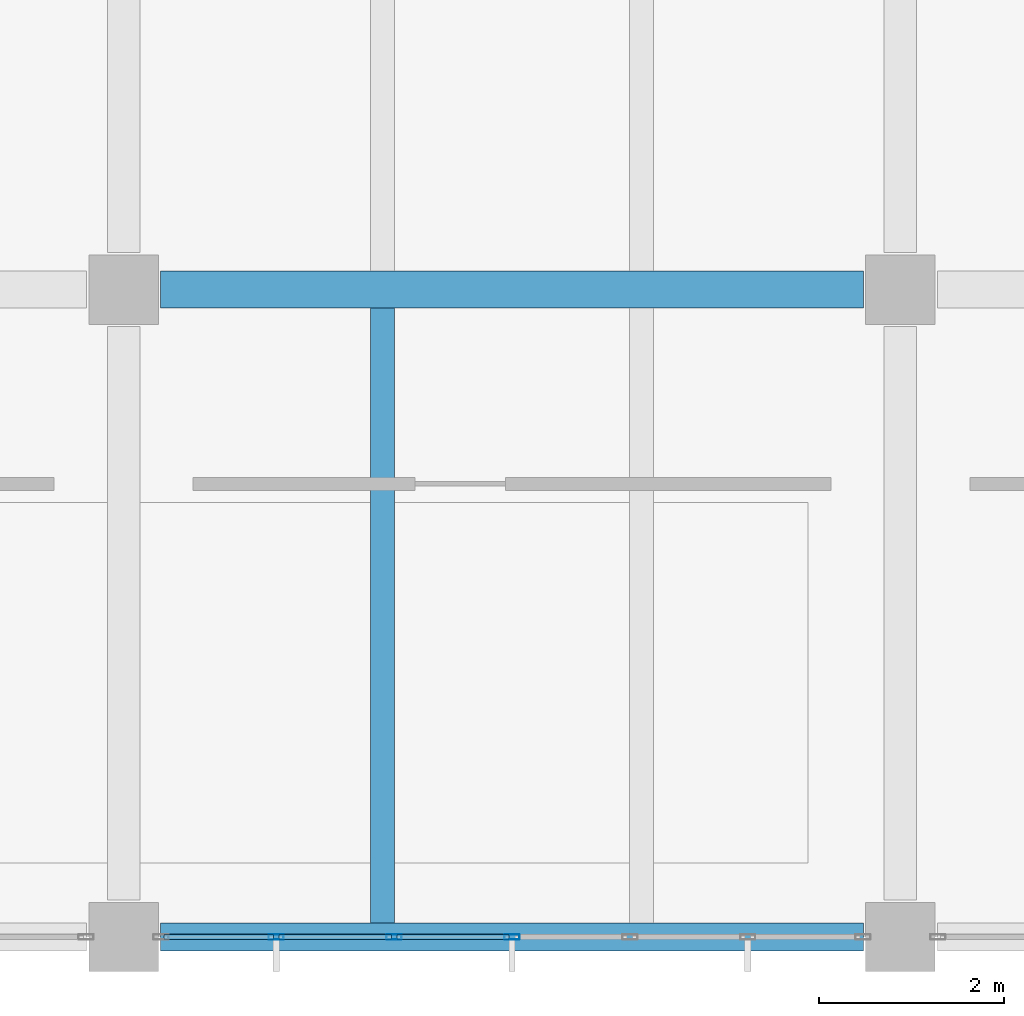
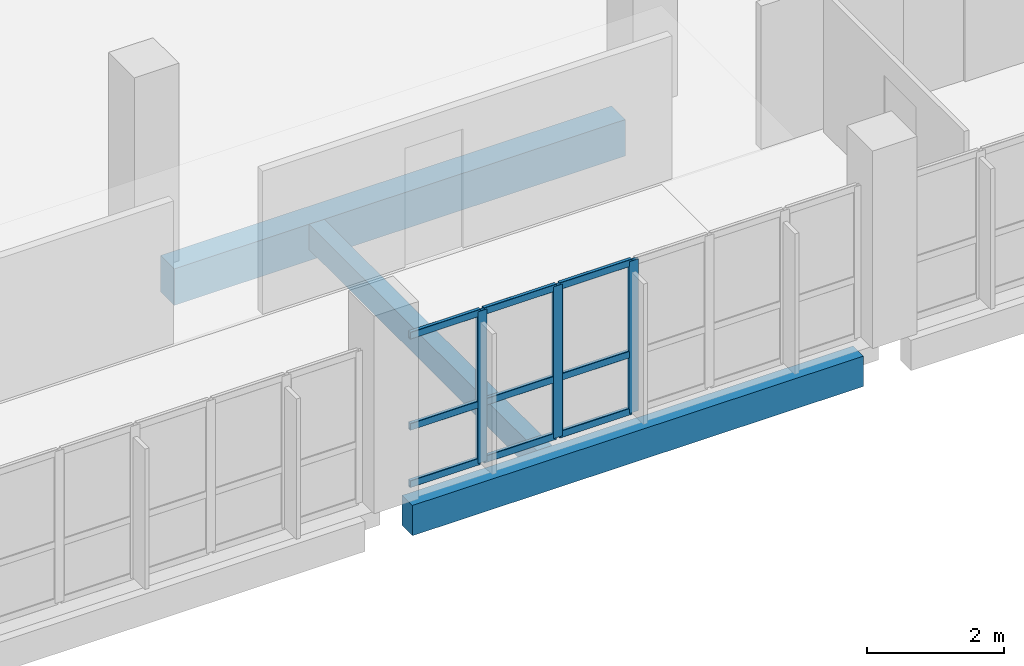
# One storey, part 16 of 95: 12 members, 3 beams, 1 element without a shape of its own.
"""IFC4 building model written with IfcOpenShell, lengths in metres."""

from ifc_helpers import new_model, si_unit, direction, frame, origin, origin_2d, place, context, subcontext, project, spatial, rectangle, hollow_rectangle, extrude, material, layer, layer_set, material_profile, profile_set, type_object, element, aggregate, save


model = new_model("IFC4")

# Units and contexts
model_context = context("Model", 3, precision=1e-05, world=origin(), true_north=direction((0.0, 1.0)))
body_context = subcontext(model_context, "Body", "Model", "MODEL_VIEW")
ifc_project = project(units=[si_unit("LENGTHUNIT", "METRE"), si_unit("AREAUNIT", "SQUARE_METRE"), si_unit("VOLUMEUNIT", "CUBIC_METRE"), si_unit("PLANEANGLEUNIT", "RADIAN"), si_unit("MASSUNIT", "GRAM", prefix="KILO"), si_unit("THERMODYNAMICTEMPERATUREUNIT", "KELVIN"), si_unit("POWERUNIT", "WATT")], contexts=[model_context])

# Site, building, storey
site_placement = place(None, origin())
site = spatial("IfcSite", under=ifc_project, at=site_placement, CompositionType="ELEMENT")
building_placement = place(site_placement, origin())
building = spatial("IfcBuilding", under=site, at=building_placement, Name="Mavoryth Pier Ferry Terminal", CompositionType="ELEMENT")
storey_placement = place(building_placement, frame((0.0, 0.0, 9.60009765625)))
storey = spatial("IfcBuildingStorey", under=building, at=storey_placement, Name="L02", CompositionType="ELEMENT", Elevation=9.60009765625)

# Beams
ifc_material_1 = material(Name="Concrete C35/45", Category="concrete")
ifc_material_profile_1 = material_profile(ifc_material_1, rectangle(XDim=0.39990234375, YDim=0.64990234375, at=origin_2d()), Name="RC 400x650", Category="concrete")
ifc_profile_set_1 = profile_set([ifc_material_profile_1], Name="Concrete C35/45 - RC 400x650")
beam_type_1 = type_object("IfcBeamType", Name="Girder-RC-400x650", PredefinedType="BEAM", material=ifc_profile_set_1)
beam_1_placement = place(storey_placement, frame((76.0, 7.0, -0.585205078125), z_axis=(1.0, 0.0, 0.0), x_axis=(0.0, 1.0, 0.0)))
element("IfcBeam", 1, at=beam_1_placement, inside=storey, type_object=beam_type_1, Name="Beam B02-BG05-0961", PredefinedType="BEAM", context=body_context, shape_type="SweptSolid", body=[
    extrude(rectangle(XDim=0.39990234375, YDim=0.64990234375, at=origin_2d()), origin(), (0.0, 0.0, 1.0), 7.60009765625),
])
ifc_material_profile_2 = material_profile(ifc_material_1, rectangle(XDim=0.260009765625, YDim=0.449951171875, at=origin_2d()), Name="RC 260x450", Category="concrete")
ifc_profile_set_2 = profile_set([ifc_material_profile_2], Name="Concrete C35/45 - RC 260x450")
beam_type_2 = type_object("IfcBeamType", Name="Joist-RC-260x450", PredefinedType="JOIST", material=ifc_profile_set_2)
beam_2_placement = place(storey_placement, frame((78.39990234375, 0.14990234375, -0.485107421875), z_axis=(0.0, 1.0, 0.0), x_axis=(-1.0, 0.0, 0.0)))
element("IfcBeam", 2, at=beam_2_placement, inside=storey, type_object=beam_type_2, Name="Beam B02-BJ03-1016", PredefinedType="JOIST", context=body_context, shape_type="SweptSolid", body=[
    extrude(rectangle(XDim=0.260009765625, YDim=0.449951171875, at=origin_2d()), origin(), (0.0, 0.0, 1.0), 6.650146484375),
])

# Curtain wall, members
ifc_material_2 = material(Name="Anodised Aluminium and Solar-Control Low-E Glass", Category="aluminium")
ifc_layer = layer(ifc_material_2, 0.239990234375, Name="Anodised Aluminium and Solar-Control Low-E Glass", Category="aluminium")
ifc_layer_set = layer_set([ifc_layer], Name="Anodised Aluminium and Solar-Control Low-E Glass - CW-Operations-Mod1200")
curtain_wall_type = type_object("IfcCurtainWallType", Name="CW-Operations-Mod1200", PredefinedType="USERDEFINED", material=ifc_layer_set)
curtain_wall_placement = place(storey_placement, origin())
curtain_wall = element("IfcCurtainWall", 3, at=curtain_wall_placement, inside=storey, type_object=curtain_wall_type, Name="Curtain Wall CW-0222-129", ObjectType="UNITISED CURTAIN WALL", PredefinedType="USERDEFINED")
ifc_material_3 = material(Name="Anodised Aluminium EN AW-6063", Category="aluminium")
ifc_material_profile_3 = material_profile(ifc_material_3, hollow_rectangle(XDim=0.06005859375, YDim=0.1650390625, WallThickness=0.00390625, InnerFilletRadius=0.00390625, OuterFilletRadius=0.008056640625, at=origin_2d()), Name="AL-MULL 165x60x4", Category="aluminium")
ifc_profile_set_3 = profile_set([ifc_material_profile_3], Name="Anodised Aluminium EN AW-6063 - AL-MULL 165x60x4")
member_type_1 = type_object("IfcMemberType", Name="Mullion-Alum-165x60", PredefinedType="MULLION", material=ifc_profile_set_3)
member_1_placement = place(storey_placement, frame((77.25, 0.0, 0.0), z_axis=(0.0, 0.0, 1.0), x_axis=(0.0, 1.0, 0.0)))
member_1 = element("IfcMember", 4, at=member_1_placement, type_object=member_type_1, Name="CW06 mullion 2", PredefinedType="MULLION", context=body_context, shape_type="SweptSolid", body=[
    extrude(hollow_rectangle(XDim=0.06005859375, YDim=0.1650390625, WallThickness=0.00390625, InnerFilletRadius=0.00390625, OuterFilletRadius=0.008056640625, at=origin_2d()), origin(), (0.0, 0.0, 1.0), 2.704833984375),
])
member_2_placement = place(storey_placement, frame((78.52490234375, 0.0, 0.0), z_axis=(0.0, 0.0, 1.0), x_axis=(0.0, 1.0, 0.0)))
member_2 = element("IfcMember", 5, at=member_2_placement, type_object=member_type_1, Name="CW06 mullion 3", PredefinedType="MULLION", context=body_context, shape_type="SweptSolid", body=[
    extrude(hollow_rectangle(XDim=0.06005859375, YDim=0.1650390625, WallThickness=0.00390625, InnerFilletRadius=0.00390625, OuterFilletRadius=0.008056640625, at=origin_2d()), origin(), (0.0, 0.0, 1.0), 2.704833984375),
])
member_3_placement = place(storey_placement, frame((79.800048828125, 0.0, 0.0), z_axis=(0.0, 0.0, 1.0), x_axis=(0.0, 1.0, 0.0)))
member_3 = element("IfcMember", 6, at=member_3_placement, type_object=member_type_1, Name="CW06 mullion 4", PredefinedType="MULLION", context=body_context, shape_type="SweptSolid", body=[
    extrude(hollow_rectangle(XDim=0.06005859375, YDim=0.1650390625, WallThickness=0.00390625, InnerFilletRadius=0.00390625, OuterFilletRadius=0.008056640625, at=origin_2d()), origin(), (0.0, 0.0, 1.0), 2.704833984375),
])

# Beam
ifc_material_profile_4 = material_profile(ifc_material_1, rectangle(XDim=0.300048828125, YDim=0.5400390625, at=origin_2d()), Name="RC 300x540", Category="concrete")
ifc_profile_set_4 = profile_set([ifc_material_profile_4], Name="Concrete C35/45 - RC 300x540")
beam_type_3 = type_object("IfcBeamType", Name="Spandrel-RC-300x540", PredefinedType="SPANDREL", material=ifc_profile_set_4)
beam_3_placement = place(storey_placement, frame((76.0, 0.0, -0.530029296875), z_axis=(1.0, 0.0, 0.0), x_axis=(0.0, 1.0, 0.0)))
element("IfcBeam", 7, at=beam_3_placement, inside=storey, type_object=beam_type_3, Name="Beam B02-SP02-0955", PredefinedType="SPANDREL", context=body_context, shape_type="SweptSolid", body=[
    extrude(rectangle(XDim=0.300048828125, YDim=0.5400390625, at=origin_2d()), origin(), (0.0, 0.0, 1.0), 7.60009765625),
])

# Member
ifc_material_profile_5 = material_profile(ifc_material_3, hollow_rectangle(XDim=0.06005859375, YDim=0.125, WallThickness=0.00390625, InnerFilletRadius=0.00390625, OuterFilletRadius=0.008056640625, at=origin_2d()), Name="AL-TRAN 125x60x4", Category="aluminium")
ifc_profile_set_5 = profile_set([ifc_material_profile_5], Name="Anodised Aluminium EN AW-6063 - AL-TRAN 125x60x4")
member_type_2 = type_object("IfcMemberType", Name="Transom-Alum-125x60", PredefinedType="USERDEFINED", material=ifc_profile_set_5)
member_4_placement = place(storey_placement, frame((76.034912109375, 0.0, 0.02978515625), z_axis=(1.0, 0.0, 0.0), x_axis=(0.0, 1.0, 0.0)))
member_4 = element("IfcMember", 8, at=member_4_placement, type_object=member_type_2, Name="CW06 transom 1.1", ObjectType="TRANSOM", PredefinedType="USERDEFINED", context=body_context, shape_type="SweptSolid", body=[
    extrude(hollow_rectangle(XDim=0.06005859375, YDim=0.125, WallThickness=0.00390625, InnerFilletRadius=0.00390625, OuterFilletRadius=0.008056640625, at=origin_2d()), origin(), (0.0, 0.0, 1.0), 1.18505859375),
])

member_5_placement = place(storey_placement, frame((76.034912109375, 0.0, 1.0498046875), z_axis=(1.0, 0.0, 0.0), x_axis=(0.0, 1.0, 0.0)))
member_5 = element("IfcMember", 9, at=member_5_placement, type_object=member_type_2, Name="CW06 transom 1.2", ObjectType="TRANSOM", PredefinedType="USERDEFINED", context=body_context, shape_type="SweptSolid", body=[
    extrude(hollow_rectangle(XDim=0.06005859375, YDim=0.125, WallThickness=0.00390625, InnerFilletRadius=0.00390625, OuterFilletRadius=0.008056640625, at=origin_2d()), origin(), (0.0, 0.0, 1.0), 1.18505859375),
])

member_6_placement = place(storey_placement, frame((76.034912109375, 0.0, 2.6748046875), z_axis=(1.0, 0.0, 0.0), x_axis=(0.0, 1.0, 0.0)))
member_6 = element("IfcMember", 10, at=member_6_placement, type_object=member_type_2, Name="CW06 transom 1.3", ObjectType="TRANSOM", PredefinedType="USERDEFINED", context=body_context, shape_type="SweptSolid", body=[
    extrude(hollow_rectangle(XDim=0.06005859375, YDim=0.125, WallThickness=0.00390625, InnerFilletRadius=0.00390625, OuterFilletRadius=0.008056640625, at=origin_2d()), origin(), (0.0, 0.0, 1.0), 1.18505859375),
])

member_7_placement = place(storey_placement, frame((77.280029296875, 0.0, 0.02978515625), z_axis=(1.0, 0.0, 0.0), x_axis=(0.0, 1.0, 0.0)))
member_7 = element("IfcMember", 11, at=member_7_placement, type_object=member_type_2, Name="CW06 transom 2.1", ObjectType="TRANSOM", PredefinedType="USERDEFINED", context=body_context, shape_type="SweptSolid", body=[
    extrude(hollow_rectangle(XDim=0.06005859375, YDim=0.125, WallThickness=0.00390625, InnerFilletRadius=0.00390625, OuterFilletRadius=0.008056640625, at=origin_2d()), origin(), (0.0, 0.0, 1.0), 1.215087890625),
])

member_8_placement = place(storey_placement, frame((77.280029296875, 0.0, 1.0498046875), z_axis=(1.0, 0.0, 0.0), x_axis=(0.0, 1.0, 0.0)))
member_8 = element("IfcMember", 12, at=member_8_placement, type_object=member_type_2, Name="CW06 transom 2.2", ObjectType="TRANSOM", PredefinedType="USERDEFINED", context=body_context, shape_type="SweptSolid", body=[
    extrude(hollow_rectangle(XDim=0.06005859375, YDim=0.125, WallThickness=0.00390625, InnerFilletRadius=0.00390625, OuterFilletRadius=0.008056640625, at=origin_2d()), origin(), (0.0, 0.0, 1.0), 1.215087890625),
])

member_9_placement = place(storey_placement, frame((77.280029296875, 0.0, 2.6748046875), z_axis=(1.0, 0.0, 0.0), x_axis=(0.0, 1.0, 0.0)))
member_9 = element("IfcMember", 13, at=member_9_placement, type_object=member_type_2, Name="CW06 transom 2.3", ObjectType="TRANSOM", PredefinedType="USERDEFINED", context=body_context, shape_type="SweptSolid", body=[
    extrude(hollow_rectangle(XDim=0.06005859375, YDim=0.125, WallThickness=0.00390625, InnerFilletRadius=0.00390625, OuterFilletRadius=0.008056640625, at=origin_2d()), origin(), (0.0, 0.0, 1.0), 1.215087890625),
])

member_10_placement = place(storey_placement, frame((78.554931640625, 0.0, 0.02978515625), z_axis=(1.0, 0.0, 0.0), x_axis=(0.0, 1.0, 0.0)))
member_10 = element("IfcMember", 14, at=member_10_placement, type_object=member_type_2, Name="CW06 transom 3.1", ObjectType="TRANSOM", PredefinedType="USERDEFINED", context=body_context, shape_type="SweptSolid", body=[
    extrude(hollow_rectangle(XDim=0.06005859375, YDim=0.125, WallThickness=0.00390625, InnerFilletRadius=0.00390625, OuterFilletRadius=0.008056640625, at=origin_2d()), origin(), (0.0, 0.0, 1.0), 1.215087890625),
])

member_11_placement = place(storey_placement, frame((78.554931640625, 0.0, 1.0498046875), z_axis=(1.0, 0.0, 0.0), x_axis=(0.0, 1.0, 0.0)))
member_11 = element("IfcMember", 15, at=member_11_placement, type_object=member_type_2, Name="CW06 transom 3.2", ObjectType="TRANSOM", PredefinedType="USERDEFINED", context=body_context, shape_type="SweptSolid", body=[
    extrude(hollow_rectangle(XDim=0.06005859375, YDim=0.125, WallThickness=0.00390625, InnerFilletRadius=0.00390625, OuterFilletRadius=0.008056640625, at=origin_2d()), origin(), (0.0, 0.0, 1.0), 1.215087890625),
])

member_12_placement = place(storey_placement, frame((78.554931640625, 0.0, 2.6748046875), z_axis=(1.0, 0.0, 0.0), x_axis=(0.0, 1.0, 0.0)))
member_12 = element("IfcMember", 16, at=member_12_placement, type_object=member_type_2, Name="CW06 transom 3.3", ObjectType="TRANSOM", PredefinedType="USERDEFINED", context=body_context, shape_type="SweptSolid", body=[
    extrude(hollow_rectangle(XDim=0.06005859375, YDim=0.125, WallThickness=0.00390625, InnerFilletRadius=0.00390625, OuterFilletRadius=0.008056640625, at=origin_2d()), origin(), (0.0, 0.0, 1.0), 1.215087890625),
])

aggregate(curtain_wall, [member_1, member_2, member_3, member_4, member_5, member_6, member_7, member_8, member_9, member_10, member_11, member_12])

save(model, "model.ifc")
